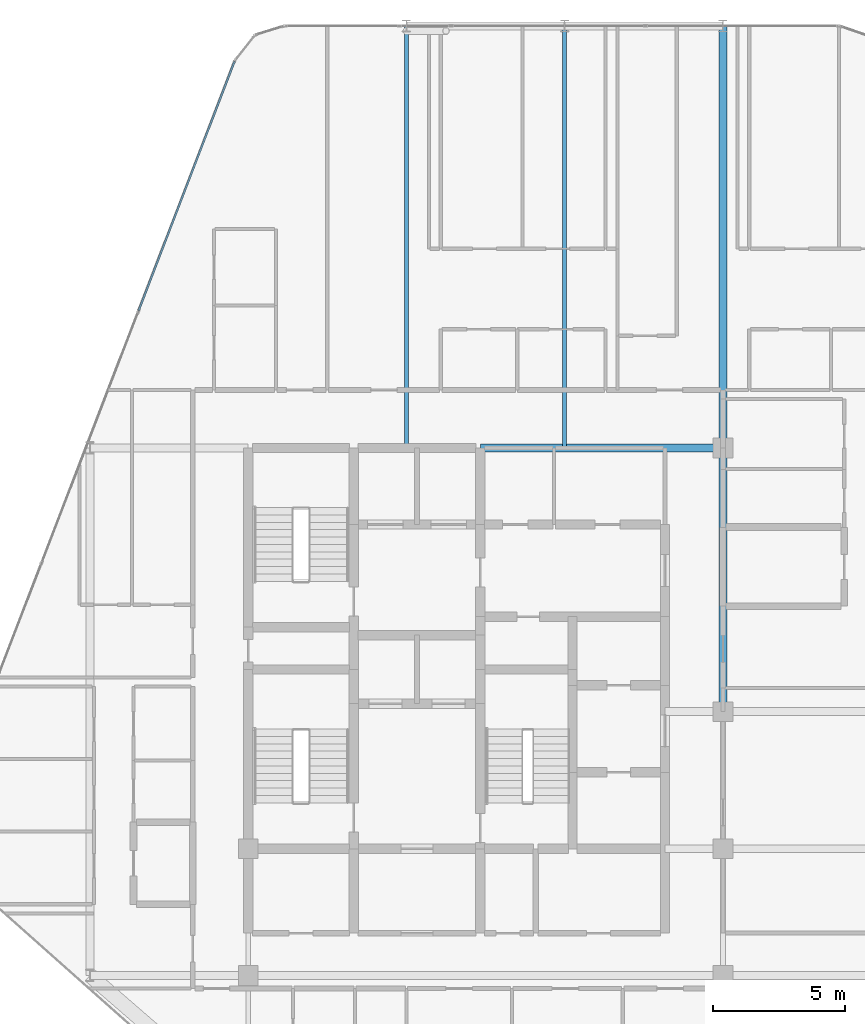
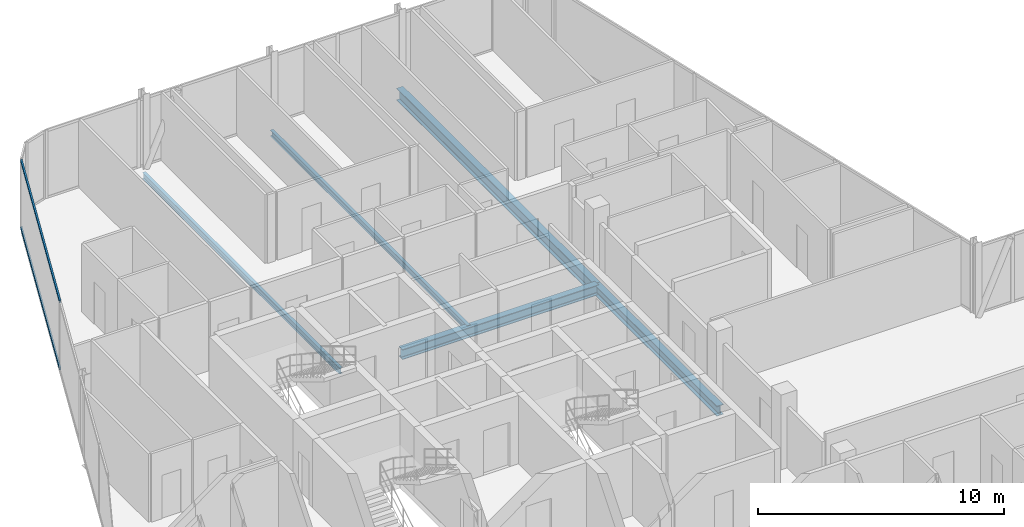
# One storey, part 17 of 29: 5 beams, 2 members, 1 element without a shape of its own.
"""IFC4 building model written with IfcOpenShell, lengths in metres."""

from ifc_helpers import new_model, si_unit, direction, frame, origin, origin_2d, place, context, subcontext, project, spatial, hollow_rectangle, i_section, extrude, material, layer, layer_set, material_profile, profile_set, type_object, element, aggregate, save


model = new_model("IFC4")

# Units and contexts
model_context = context("Model", 3, precision=1e-05, world=origin(), true_north=direction((0.0, 1.0)))
body_context = subcontext(model_context, "Body", "Model", "MODEL_VIEW")
ifc_project = project(units=[si_unit("LENGTHUNIT", "METRE"), si_unit("AREAUNIT", "SQUARE_METRE"), si_unit("VOLUMEUNIT", "CUBIC_METRE"), si_unit("PLANEANGLEUNIT", "RADIAN"), si_unit("MASSUNIT", "GRAM", prefix="KILO")], contexts=[model_context])

# Site, building, storey
site_placement = place(None, origin())
site = spatial("IfcSite", under=ifc_project, at=site_placement, CompositionType="ELEMENT")
building_placement = place(site_placement, origin())
building = spatial("IfcBuilding", under=site, at=building_placement, Name="Keshet Zoharim Tower", CompositionType="ELEMENT")
storey_placement = place(building_placement, frame((0.0, 0.0, 222.800048828125)))
storey = spatial("IfcBuildingStorey", under=building, at=storey_placement, Name="L55", CompositionType="ELEMENT", Elevation=222.800048828125)

# Beams
ifc_material_1 = material(Name="Steel S355", Category="steel")
ifc_material_profile_1 = material_profile(ifc_material_1, i_section(OverallWidth=0.14990234375, OverallDepth=0.300048828125, WebThickness=0.007080078125, FlangeThickness=0.0107421875, FilletRadius=0.014892578125, at=origin_2d()), Name="IPE300")
ifc_profile_set_1 = profile_set([ifc_material_profile_1], Name="Steel S355")
beam_type_1 = type_object("IfcBeamType", Name="BM-JST-IP300", PredefinedType="JOIST", material=ifc_profile_set_1)
for number, where, z_axis, x_axis, name in (
    (1, (21.0, 37.89990234375, -0.4599609375), (0.0, 1.0, 0.0), (-1.0, 0.0, 0.0), "L55 Secondary Floor Joist J-001"),
    (2, (27.0, 37.89990234375, -0.4599609375), (0.0, 1.0, 0.0), (-1.0, 0.0, 0.0), "L55 Secondary Floor Joist J-002"),
):
    element("IfcBeam", number, at=place(storey_placement, frame(where, z_axis=z_axis, x_axis=x_axis)), inside=storey, type_object=beam_type_1, Name=name, PredefinedType="JOIST", context=body_context, shape_type="SweptSolid", body=[
        extrude(i_section(OverallWidth=0.14990234375, OverallDepth=0.300048828125, WebThickness=0.007080078125, FlangeThickness=0.0107421875, FilletRadius=0.014892578125, at=origin_2d()), origin(), (0.0, 0.0, 1.0), 16.0),
    ])
ifc_material_profile_2 = material_profile(ifc_material_1, i_section(OverallWidth=0.300048828125, OverallDepth=0.60009765625, WebThickness=0.015380859375, FlangeThickness=0.030029296875, FilletRadius=0.027099609375, at=origin_2d()), Name="HEB600")
ifc_profile_set_2 = profile_set([ifc_material_profile_2], Name="Steel S355")
beam_type_2 = type_object("IfcBeamType", Name="BM-LNG-HB600", PredefinedType="BEAM", material=ifc_profile_set_2)
beam_1_placement = place(storey_placement, frame((33.0, 37.89990234375, -0.610107421875), z_axis=(0.0, 1.0, 0.0), x_axis=(-1.0, 0.0, 0.0)))
element("IfcBeam", 3, at=beam_1_placement, inside=storey, type_object=beam_type_2, Name="L55 Primary Girder Y-011", PredefinedType="BEAM", context=body_context, shape_type="SweptSolid", body=[
    extrude(i_section(OverallWidth=0.300048828125, OverallDepth=0.60009765625, WebThickness=0.015380859375, FlangeThickness=0.030029296875, FilletRadius=0.027099609375, at=origin_2d()), origin(), (0.0, 0.0, 1.0), 16.0),
])
ifc_material_profile_3 = material_profile(ifc_material_1, i_section(OverallWidth=0.300048828125, OverallDepth=0.5, WebThickness=0.014404296875, FlangeThickness=0.028076171875, FilletRadius=0.027099609375, at=origin_2d()), Name="HEB500")
ifc_profile_set_3 = profile_set([ifc_material_profile_3], Name="Steel S355")
beam_type_3 = type_object("IfcBeamType", Name="BM-MED-HB500", PredefinedType="BEAM", material=ifc_profile_set_3)
beam_2_placement = place(storey_placement, frame((23.800048828125, 37.89990234375, -0.56005859375), z_axis=(1.0, 0.0, 0.0), x_axis=(0.0, 1.0, 0.0)))
element("IfcBeam", 4, at=beam_2_placement, inside=storey, type_object=beam_type_3, Name="L55 Primary Girder X-018", PredefinedType="BEAM", context=body_context, shape_type="SweptSolid", body=[
    extrude(i_section(OverallWidth=0.300048828125, OverallDepth=0.5, WebThickness=0.014404296875, FlangeThickness=0.028076171875, FilletRadius=0.027099609375, at=origin_2d()), origin(), (0.0, 0.0, 1.0), 9.199951171875),
])
beam_3_placement = place(storey_placement, frame((33.0, 27.89990234375, -0.56005859375), z_axis=(0.0, 1.0, 0.0), x_axis=(-1.0, 0.0, 0.0)))
element("IfcBeam", 5, at=beam_3_placement, inside=storey, type_object=beam_type_3, Name="L55 Primary Girder Y-010", PredefinedType="BEAM", context=body_context, shape_type="SweptSolid", body=[
    extrude(i_section(OverallWidth=0.300048828125, OverallDepth=0.5, WebThickness=0.014404296875, FlangeThickness=0.028076171875, FilletRadius=0.027099609375, at=origin_2d()), origin(), (0.0, 0.0, 1.0), 10.0),
])

# Curtain wall, members
ifc_material_2 = material(Name="Aluminium 6063-T6", Category="aluminium")
ifc_layer = layer(ifc_material_2, 0.139892578125)
ifc_layer_set = layer_set([ifc_layer], Name="Aluminium 6063-T6")
curtain_wall_type = type_object("IfcCurtainWallType", Name="CW-SYS-05", PredefinedType="NOTDEFINED", material=ifc_layer_set)
curtain_wall_placement = place(storey_placement, origin())
curtain_wall = element("IfcCurtainWall", 6, at=curtain_wall_placement, inside=storey, type_object=curtain_wall_type, Name="L55 Unitised Curtain Wall 13", PredefinedType="NOTDEFINED")
ifc_material_profile_4 = material_profile(ifc_material_2, hollow_rectangle(XDim=0.074951171875, YDim=0.1201171875, WallThickness=0.00390625, at=origin_2d()), Name="TRN-75x120")
ifc_profile_set_4 = profile_set([ifc_material_profile_4], Name="Aluminium 6063-T6")
member_type = type_object("IfcMemberType", Name="CWT-T12", PredefinedType="USERDEFINED", material=ifc_profile_set_4)
member_1_placement = place(storey_placement, frame((10.849609375, 43.10888671875, 0.034912109375), z_axis=(0.358985546764, 0.933343118694, 0.0), x_axis=(-0.933343118694, 0.358985546764, 0.0)))
member_1 = element("IfcMember", 7, at=member_1_placement, type_object=member_type, Name="CW-05 transom 3.1", ObjectType="TRANSOM", PredefinedType="USERDEFINED", context=body_context, shape_type="SweptSolid", body=[
    extrude(hollow_rectangle(XDim=0.074951171875, YDim=0.1201171875, WallThickness=0.00390625, at=origin_2d()), origin(), (0.0, 0.0, 1.0), 10.118408203125),
])
member_2_placement = place(storey_placement, frame((10.849609375, 43.10888671875, 3.35498046875), z_axis=(0.358985546764, 0.933343118694, 0.0), x_axis=(-0.933343118694, 0.358985546764, 0.0)))
member_2 = element("IfcMember", 8, at=member_2_placement, type_object=member_type, Name="CW-05 transom 3.2", ObjectType="TRANSOM", PredefinedType="USERDEFINED", context=body_context, shape_type="SweptSolid", body=[
    extrude(hollow_rectangle(XDim=0.074951171875, YDim=0.1201171875, WallThickness=0.00390625, at=origin_2d()), origin(), (0.0, 0.0, 1.0), 10.118408203125),
])
aggregate(curtain_wall, [member_1, member_2])

save(model, "model.ifc")
